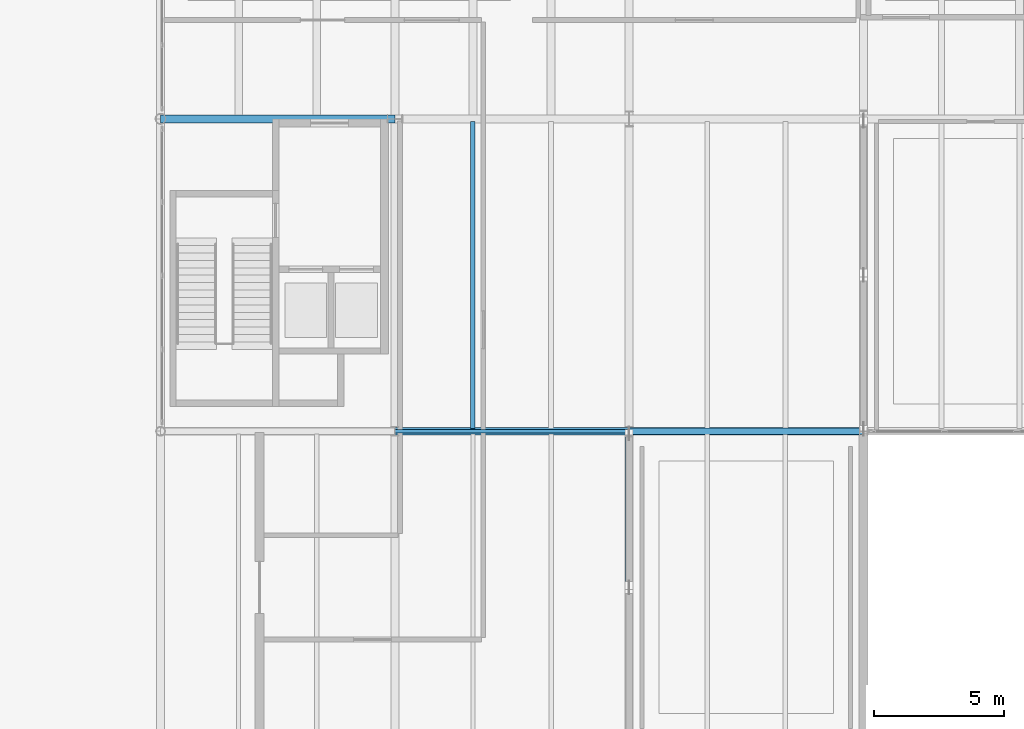
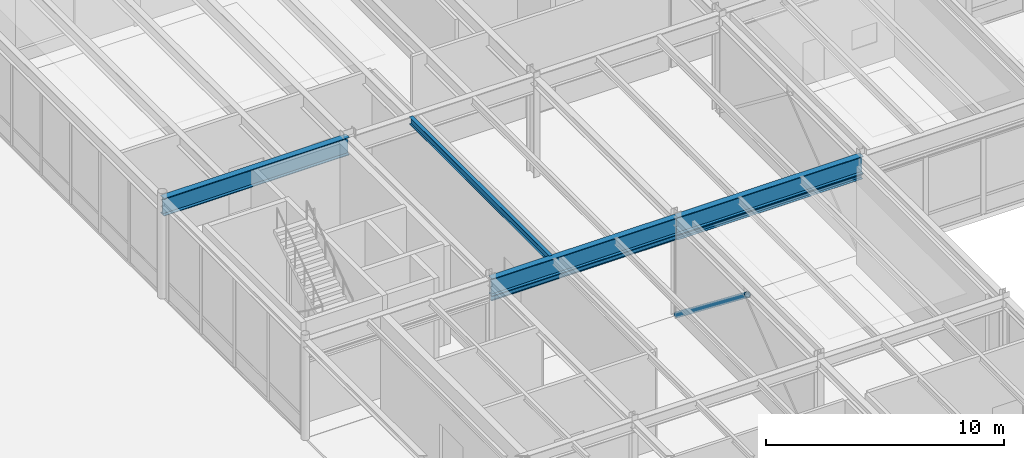
# One storey, part 77 of 143: 6 beams, 1 member.
"""IFC4 building model written with IfcOpenShell, lengths in metres."""

from ifc_helpers import new_model, si_unit, direction, frame, origin, origin_2d, place, context, subcontext, project, spatial, hollow_circle, i_section, extrude, material, material_profile, profile_set, type_object, element, save


model = new_model("IFC4")

# Units and contexts
model_context = context("Model", 3, precision=1e-05, world=origin(), true_north=direction((0.0, 1.0)))
body_context = subcontext(model_context, "Body", "Model", "MODEL_VIEW")
ifc_project = project(units=[si_unit("LENGTHUNIT", "METRE"), si_unit("AREAUNIT", "SQUARE_METRE"), si_unit("VOLUMEUNIT", "CUBIC_METRE"), si_unit("PLANEANGLEUNIT", "RADIAN"), si_unit("MASSUNIT", "GRAM", prefix="KILO")], contexts=[model_context])

# Site, building, storey
site_placement = place(None, origin())
site = spatial("IfcSite", under=ifc_project, at=site_placement, CompositionType="ELEMENT")
building_placement = place(site_placement, origin())
building = spatial("IfcBuilding", under=site, at=building_placement, Name="Montelvaro Courts of Justice", CompositionType="ELEMENT")
storey_placement = place(building_placement, origin())
storey = spatial("IfcBuildingStorey", under=building, at=storey_placement, Name="L00", CompositionType="ELEMENT", Elevation=0.0)

# Beams
ifc_material = material(Name="Steel S355", Category="steel")
ifc_material_profile_1 = material_profile(ifc_material, i_section(OverallWidth=0.239990234375, OverallDepth=0.22998046875, WebThickness=0.007568359375, FlangeThickness=0.011962890625, at=origin_2d()), Name="HEA 240")
ifc_profile_set_1 = profile_set([ifc_material_profile_1], Name="Steel S355")
beam_type_1 = type_object("IfcBeamType", Name="Beam_HEA240", PredefinedType="LINTEL", material=ifc_profile_set_1)
beam_1_placement = place(storey_placement, frame((117.0, 66.0, 4.034912109375), z_axis=(1.0, 0.0, 0.0), x_axis=(0.0, 1.0, 0.0)))
element("IfcBeam", 1, at=beam_1_placement, inside=storey, type_object=beam_type_1, Name="Beam B-13 L00", PredefinedType="LINTEL", context=body_context, shape_type="SweptSolid", body=[
    extrude(i_section(OverallWidth=0.239990234375, OverallDepth=0.22998046875, WebThickness=0.007568359375, FlangeThickness=0.011962890625, at=origin_2d()), origin(), (0.0, 0.0, 1.0), 9.0),
])
ifc_material_profile_2 = material_profile(ifc_material, i_section(OverallWidth=0.300048828125, OverallDepth=0.89990234375, WebThickness=0.0185546875, FlangeThickness=0.034912109375, at=origin_2d()), Name="HEB 900")
ifc_profile_set_2 = profile_set([ifc_material_profile_2], Name="Steel S355")
beam_type_2 = type_object("IfcBeamType", Name="Beam_HEB900", PredefinedType="USERDEFINED", material=ifc_profile_set_2)
for number, where, z_axis, x_axis, name in (
    (2, (108.0, 66.0, 4.64990234375), (1.0, 0.0, 0.0), (0.0, 1.0, 0.0), "Beam B-30 L00"),
    (3, (117.0, 66.0, 4.64990234375), (1.0, 0.0, 0.0), (0.0, 1.0, 0.0), "Beam B-30 L00"),
):
    element("IfcBeam", number, at=place(storey_placement, frame(where, z_axis=z_axis, x_axis=x_axis)), inside=storey, type_object=beam_type_2, Name=name, ObjectType="GIRDER", PredefinedType="USERDEFINED", context=body_context, shape_type="SweptSolid", body=[
        extrude(i_section(OverallWidth=0.300048828125, OverallDepth=0.89990234375, WebThickness=0.0185546875, FlangeThickness=0.034912109375, at=origin_2d()), origin(), (0.0, 0.0, 1.0), 9.0),
    ])
ifc_material_profile_3 = material_profile(ifc_material, i_section(OverallWidth=0.302001953125, OverallDepth=0.909912109375, WebThickness=0.02099609375, FlangeThickness=0.0400390625, at=origin_2d()), Name="HEM 900")
ifc_profile_set_3 = profile_set([ifc_material_profile_3], Name="Steel S355")
beam_type_3 = type_object("IfcBeamType", Name="Beam_HEM900", PredefinedType="USERDEFINED", material=ifc_profile_set_3)
beam_2_placement = place(storey_placement, frame((99.0, 78.0, 4.64501953125), z_axis=(1.0, 0.0, 0.0), x_axis=(0.0, 1.0, 0.0)))
element("IfcBeam", 4, at=beam_2_placement, inside=storey, type_object=beam_type_3, Name="Beam B-31 L00", ObjectType="GIRDER", PredefinedType="USERDEFINED", context=body_context, shape_type="SweptSolid", body=[
    extrude(i_section(OverallWidth=0.302001953125, OverallDepth=0.909912109375, WebThickness=0.02099609375, FlangeThickness=0.0400390625, at=origin_2d()), origin(), (0.0, 0.0, 1.0), 9.0),
])
ifc_material_profile_4 = material_profile(ifc_material, i_section(OverallWidth=0.1201171875, OverallDepth=0.239990234375, WebThickness=0.006103515625, FlangeThickness=0.009765625, at=origin_2d()), Name="IPE 240")
ifc_profile_set_4 = profile_set([ifc_material_profile_4], Name="Steel S355")
beam_type_4 = type_object("IfcBeamType", Name="Beam_IPE240", PredefinedType="LINTEL", material=ifc_profile_set_4)
beam_3_placement = place(storey_placement, frame((108.0, 66.0, 4.030029296875), z_axis=(1.0, 0.0, 0.0), x_axis=(0.0, 1.0, 0.0)))
element("IfcBeam", 5, at=beam_3_placement, inside=storey, type_object=beam_type_4, Name="Beam B-03 L00", PredefinedType="LINTEL", context=body_context, shape_type="SweptSolid", body=[
    extrude(i_section(OverallWidth=0.1201171875, OverallDepth=0.239990234375, WebThickness=0.006103515625, FlangeThickness=0.009765625, at=origin_2d()), origin(), (0.0, 0.0, 1.0), 9.0),
])
ifc_material_profile_5 = material_profile(ifc_material, i_section(OverallWidth=0.169921875, OverallDepth=0.360107421875, WebThickness=0.008056640625, FlangeThickness=0.0126953125, at=origin_2d()), Name="IPE 360")
ifc_profile_set_5 = profile_set([ifc_material_profile_5], Name="Steel S355")
beam_type_5 = type_object("IfcBeamType", Name="Beam_IPE360", PredefinedType="BEAM", material=ifc_profile_set_5)
beam_4_placement = place(storey_placement, frame((111.0, 66.110107421875, 4.919921875), z_axis=(0.0, 1.0, 0.0), x_axis=(-1.0, 0.0, 0.0)))
element("IfcBeam", 6, at=beam_4_placement, inside=storey, type_object=beam_type_5, Name="Beam B-07 L00", PredefinedType="BEAM", context=body_context, shape_type="SweptSolid", body=[
    extrude(i_section(OverallWidth=0.169921875, OverallDepth=0.360107421875, WebThickness=0.008056640625, FlangeThickness=0.0126953125, at=origin_2d()), origin(), (0.0, 0.0, 1.0), 11.77978515625),
])

# Member
ifc_material_profile_6 = material_profile(ifc_material, hollow_circle(Radius=0.136474609375, WallThickness=0.012451171875, at=origin_2d()), Name="CHS 273x12.5")
ifc_profile_set_6 = profile_set([ifc_material_profile_6], Name="Steel S355")
member_type = type_object("IfcMemberType", Name="Mem_CHS273_Brace", PredefinedType="BRACE", material=ifc_profile_set_6)
member_placement = place(storey_placement, frame((117.0, 65.919921875, 0.080078125), z_axis=(0.0, -0.788351551389, 0.61522502503), x_axis=(1.0, 0.0, 0.0)))
element("IfcMember", 7, at=member_placement, inside=storey, type_object=member_type, Name="Lateral Braced Frame CBF4 Diagonal 2 (L00)", PredefinedType="BRACE", context=body_context, shape_type="SweptSolid", body=[
    extrude(hollow_circle(Radius=0.136474609375, WallThickness=0.012451171875, at=origin_2d()), origin(), (0.0, 0.0, 1.0), 7.50927734375),
])

save(model, "model.ifc")
